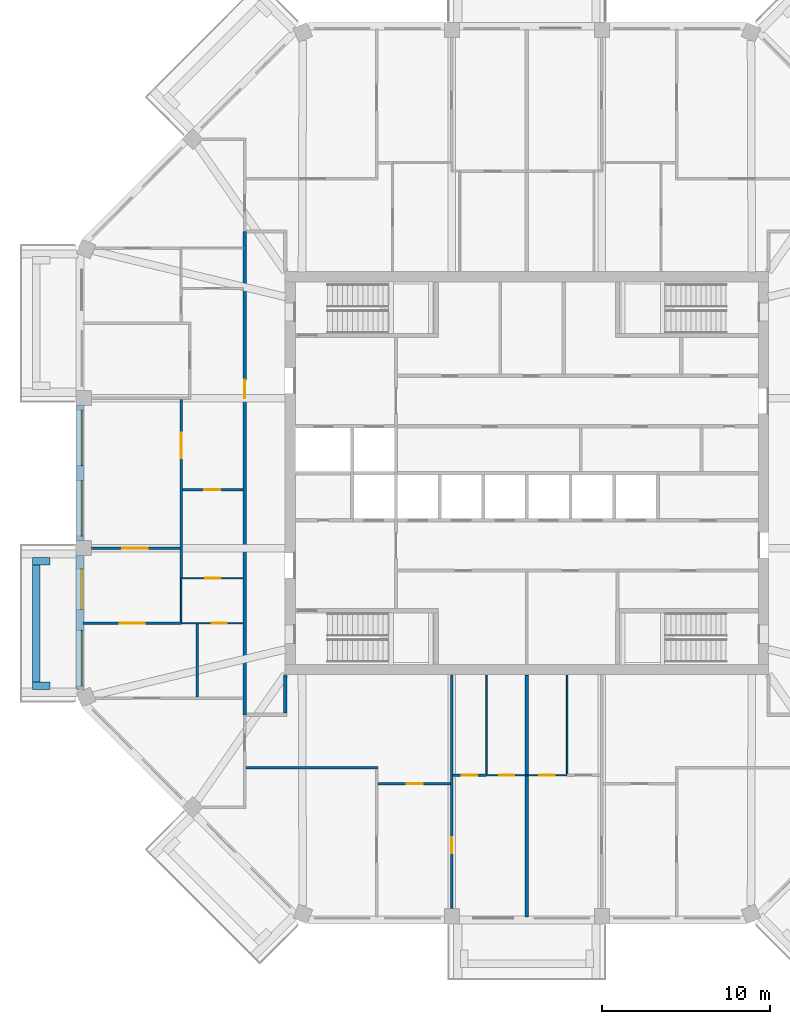
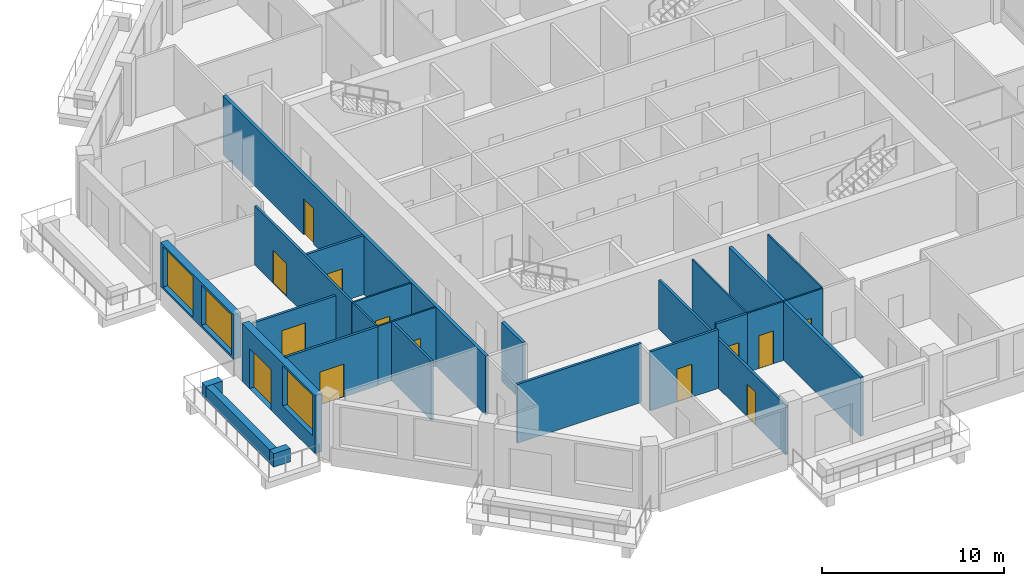
# One storey, part 3 of 12: 24 walls, 13 doors, 3 windows, 16 openings.
"""IFC4 building model written with IfcOpenShell, lengths in metres."""

from ifc_helpers import new_model, si_unit, direction, frame, frame_2d, origin, place, context, subcontext, project, spatial, rectangle, extrude, material, layer, layer_set, type_object, element, fill, save


model = new_model("IFC4")

# Units and contexts
model_context = context("Model", 3, precision=1e-05, world=origin(), true_north=direction((0.0, 1.0)))
body_context = subcontext(model_context, "Body", "Model", "MODEL_VIEW")
ifc_project = project(units=[si_unit("LENGTHUNIT", "METRE"), si_unit("AREAUNIT", "SQUARE_METRE"), si_unit("VOLUMEUNIT", "CUBIC_METRE"), si_unit("PLANEANGLEUNIT", "RADIAN"), si_unit("MASSUNIT", "GRAM", prefix="KILO")], contexts=[model_context])

# Site, building, storey
site_placement = place(None, origin())
site = spatial("IfcSite", under=ifc_project, at=site_placement, CompositionType="ELEMENT")
building_placement = place(site_placement, origin())
building = spatial("IfcBuilding", under=site, at=building_placement, Name="Msitu Wima Residences", CompositionType="ELEMENT")
storey_placement = place(building_placement, frame((0.0, 0.0, 243.300048828125)))
storey = spatial("IfcBuildingStorey", under=building, at=storey_placement, Name="L56", CompositionType="ELEMENT", Elevation=243.300048828125)

# Walls
ifc_material_1 = material(Name="Facing brick")
ifc_layer_1 = layer(ifc_material_1, 0.06494140625, Name="Facing brick")
ifc_material_2 = material(Name="Concrete C40/50", Category="concrete")
ifc_layer_2 = layer(ifc_material_2, 0.156005859375, Name="Concrete C40/50")
ifc_material_3 = material(Name="Waterproofing membrane")
ifc_layer_3 = layer(ifc_material_3, 0.00390625, Name="Waterproofing membrane")
ifc_material_4 = material(Name="Planting soil and planting")
ifc_layer_4 = layer(ifc_material_4, 0.22509765625, Name="Planting soil and planting")
ifc_layer_set_1 = layer_set([ifc_layer_1, ifc_layer_2, ifc_layer_3, ifc_layer_4], Name="Concrete C40/50")
wall_type_1 = type_object("IfcWallType", Name="Balcony planter PLANTER PL450", PredefinedType="USERDEFINED", material=ifc_layer_set_1)
wall_1_placement = place(storey_placement, frame((-29.22509765625, -5.468505859375, 0.0), z_axis=(0.0, 0.0, 1.0), x_axis=(0.0, -1.0, 0.0)))
element("IfcWall", 1, at=wall_1_placement, inside=storey, type_object=wall_type_1, Name="Balcony planter W2 L56", ObjectType="PLANTER", PredefinedType="USERDEFINED", context=body_context, shape_type="SweptSolid", body=[
    extrude(rectangle(XDim=6.9873046875, YDim=0.449951171875, at=frame_2d((3.49365234375, 0.0))), origin(), (0.0, 0.0, 1.0), 0.89990234375),
])
for number, where, z_axis, x_axis, name in (
    (2, (-28.39990234375, -5.24365234375, 0.0), (0.0, 0.0, 1.0), (-1.0, 0.0, 0.0), "Balcony planter W2 L56"),
    (3, (-28.39990234375, -12.680908203125, 0.0), (0.0, 0.0, 1.0), (-1.0, 0.0, 0.0), "Balcony planter W2 L56"),
):
    element("IfcWall", number, at=place(storey_placement, frame(where, z_axis=z_axis, x_axis=x_axis)), inside=storey, type_object=wall_type_1, Name=name, ObjectType="PLANTER", PredefinedType="USERDEFINED", context=body_context, shape_type="SweptSolid", body=[
        extrude(rectangle(XDim=1.050048828125, YDim=0.449951171875, at=frame_2d((0.52490234375, 0.0))), origin(), (0.0, 0.0, 1.0), 0.89990234375),
    ])

# Wall, openings, windows
ifc_material_5 = material(Name="Brick (red buff mix)", Category="masonry")
ifc_layer_5 = layer(ifc_material_5, 0.449951171875)
ifc_layer_set_2 = layer_set([ifc_layer_5], Name="Brick (red buff mix)")
wall_type_2 = type_object("IfcWallType", Name="Brick infill wall BW450", PredefinedType="SOLIDWALL", material=ifc_layer_set_2)
wall_2_placement = place(storey_placement, frame((-26.625, 4.0185546875, 0.89990234375), z_axis=(0.0, 0.0, 1.0), x_axis=(0.0, -1.0, 0.0)))
wall_2 = element("IfcWall", 4, at=wall_2_placement, inside=storey, type_object=wall_type_2, Name="Brick infill wall L56 W1", PredefinedType="SOLIDWALL", context=body_context, shape_type="SweptSolid", body=[
    extrude(rectangle(XDim=8.037109375, YDim=0.449951171875, at=frame_2d((4.0185546875, 0.0))), origin(), (0.0, 0.0, 1.0), 3.0),
])
opening_1_placement = place(wall_2_placement, frame((0.2685546875, 0.0, 0.14990234375)))
opening_1 = element("IfcOpeningElement", 5, at=opening_1_placement, cuts=wall_2, Name="Opening W55-56.028", PredefinedType="OPENING", context=body_context, shape_type="SweptSolid", body=[
    extrude(rectangle(XDim=3.300048828125, YDim=2.699951171875, at=frame_2d((1.64990234375, 1.35009765625))), frame((0.0, 0.23486328125, 0.0), z_axis=(0.0, -1.0, 0.0), x_axis=(1.0, 0.0, 0.0)), (0.0, 0.0, 1.0), 0.469970703125),
])
opening_2_placement = place(wall_2_placement, frame((4.46875, 0.0, 0.14990234375)))
opening_2 = element("IfcOpeningElement", 6, at=opening_2_placement, cuts=wall_2, Name="Opening W55-56.029", PredefinedType="OPENING", context=body_context, shape_type="SweptSolid", body=[
    extrude(rectangle(XDim=3.300048828125, YDim=2.699951171875, at=frame_2d((1.64990234375, 1.35009765625))), frame((0.0, 0.23486328125, 0.0), z_axis=(0.0, -1.0, 0.0), x_axis=(1.0, 0.0, 0.0)), (0.0, 0.0, 1.0), 0.469970703125),
])
ifc_material_6 = material(Name="Anodised aluminium, bronze finish, clear low-emissivity double glazing", Category="aluminium")
window_type = type_object("IfcWindowType", Name="Window W3300x2700", PartitioningType="DOUBLE_PANEL_VERTICAL", PredefinedType="WINDOW", material=ifc_material_6)
window_1_placement = place(opening_1_placement, origin())
window_1 = element("IfcWindow", 7, at=window_1_placement, inside=storey, type_object=window_type, Name="Window L56 W1.1", OverallHeight=2.699951171875, OverallWidth=3.300048828125, PartitioningType="SINGLE_PANEL", PredefinedType="WINDOW", context=body_context, shape_type="SweptSolid", body=[
    extrude(rectangle(XDim=3.300048828125, YDim=2.699951171875, at=frame_2d((1.64990234375, 1.35009765625))), frame((0.0, 0.135009765625, 0.0), z_axis=(0.0, -1.0, 0.0), x_axis=(1.0, 0.0, 0.0)), (0.0, 0.0, 1.0), 0.06005859375),
])
fill(opening_1, window_1)
window_2_placement = place(opening_2_placement, origin())
window_2 = element("IfcWindow", 8, at=window_2_placement, inside=storey, type_object=window_type, Name="Window L56 W1.2", OverallHeight=2.699951171875, OverallWidth=3.300048828125, PartitioningType="SINGLE_PANEL", PredefinedType="WINDOW", context=body_context, shape_type="SweptSolid", body=[
    extrude(rectangle(XDim=3.300048828125, YDim=2.699951171875, at=frame_2d((1.64990234375, 1.35009765625))), frame((0.0, 0.135009765625, 0.0), z_axis=(0.0, -1.0, 0.0), x_axis=(1.0, 0.0, 0.0)), (0.0, 0.0, 1.0), 0.06005859375),
])
fill(opening_2, window_2)

# Wall, openings, door, window
wall_3_placement = place(storey_placement, frame((-26.625, -4.918701171875, 0.0), z_axis=(0.0, 0.0, 1.0), x_axis=(0.0, -1.0, 0.0)))
wall_3 = element("IfcWall", 9, at=wall_3_placement, inside=storey, type_object=wall_type_2, Name="Brick infill wall L56 W2", PredefinedType="SOLIDWALL", context=body_context, shape_type="SweptSolid", body=[
    extrude(rectangle(XDim=8.0, YDim=0.449951171875, at=frame_2d((4.0, 0.0))), origin(), (0.0, 0.0, 1.0), 3.89990234375),
])
opening_3_placement = place(wall_3_placement, frame((0.800048828125, 0.0, 0.0)))
opening_3 = element("IfcOpeningElement", 10, at=opening_3_placement, cuts=wall_3, Name="Opening D55-56.010", PredefinedType="OPENING", context=body_context, shape_type="SweptSolid", body=[
    extrude(rectangle(XDim=2.39990234375, YDim=2.699951171875, at=frame_2d((1.199951171875, 1.35009765625))), frame((0.0, 0.23486328125, 0.0), z_axis=(0.0, -1.0, 0.0), x_axis=(1.0, 0.0, 0.0)), (0.0, 0.0, 1.0), 0.469970703125),
])
opening_4_placement = place(wall_3_placement, frame((4.4501953125, 0.0, 1.050048828125)))
opening_4 = element("IfcOpeningElement", 11, at=opening_4_placement, cuts=wall_3, Name="Opening W55-56.030", PredefinedType="OPENING", context=body_context, shape_type="SweptSolid", body=[
    extrude(rectangle(XDim=3.300048828125, YDim=2.699951171875, at=frame_2d((1.64990234375, 1.35009765625))), frame((0.0, 0.23486328125, 0.0), z_axis=(0.0, -1.0, 0.0), x_axis=(1.0, 0.0, 0.0)), (0.0, 0.0, 1.0), 0.469970703125),
])
door_type_1 = type_object("IfcDoorType", Name="Balcony door D2400x2700", OperationType="SLIDING_TO_LEFT", PredefinedType="DOOR", material=ifc_material_6)
door_1_placement = place(opening_3_placement, origin())
door_1 = element("IfcDoor", 12, at=door_1_placement, inside=storey, type_object=door_type_1, Name="Balcony door L56 W2", OperationType="SINGLE_SWING_LEFT", OverallHeight=2.699951171875, OverallWidth=2.39990234375, PredefinedType="DOOR", context=body_context, shape_type="SweptSolid", body=[
    extrude(rectangle(XDim=2.39990234375, YDim=2.699951171875, at=frame_2d((1.199951171875, 1.35009765625))), frame((0.0, 0.1298828125, 0.0), z_axis=(0.0, -1.0, 0.0), x_axis=(1.0, 0.0, 0.0)), (0.0, 0.0, 1.0), 0.050048828125),
])
fill(opening_3, door_1)
window_3_placement = place(opening_4_placement, origin())
window_3 = element("IfcWindow", 13, at=window_3_placement, inside=storey, type_object=window_type, Name="Window L56 W2.2", OverallHeight=2.699951171875, OverallWidth=3.300048828125, PartitioningType="SINGLE_PANEL", PredefinedType="WINDOW", context=body_context, shape_type="SweptSolid", body=[
    extrude(rectangle(XDim=3.300048828125, YDim=2.699951171875, at=frame_2d((1.64990234375, 1.35009765625))), frame((0.0, 0.135009765625, 0.0), z_axis=(0.0, -1.0, 0.0), x_axis=(1.0, 0.0, 0.0)), (0.0, 0.0, 1.0), 0.06005859375),
])
fill(opening_4, window_3)

# Wall, opening, door
ifc_material_7 = material(Name="Plaster")
ifc_layer_6 = layer(ifc_material_7, 0.011962890625, Name="Plaster")
ifc_material_8 = material(Name="Concrete blockwork", Category="masonry")
ifc_layer_7 = layer(ifc_material_8, 0.176025390625, Name="Concrete blockwork")
ifc_layer_8 = layer(ifc_material_7, 0.011962890625, Name="Plaster")
ifc_layer_set_3 = layer_set([ifc_layer_6, ifc_layer_7, ifc_layer_8], Name="Concrete blockwork")
wall_type_3 = type_object("IfcWallType", Name="Corridor wall FW200", PredefinedType="PARTITIONING", material=ifc_layer_set_3)
wall_4_placement = place(storey_placement, frame((-16.800048828125, -14.39990234375, 0.0), z_axis=(0.0, 0.0, 1.0), x_axis=(0.0, 1.0, 0.0)))
wall_4 = element("IfcWall", 14, at=wall_4_placement, inside=storey, type_object=wall_type_3, Name="Corridor wall", PredefinedType="PARTITIONING", context=body_context, shape_type="SweptSolid", body=[
    extrude(rectangle(XDim=28.7998046875, YDim=0.199951171875, at=frame_2d((14.39990234375, 0.0))), origin(), (0.0, 0.0, 1.0), 3.949951171875),
])
opening_5_placement = place(wall_4_placement, frame((18.85009765625, 0.0, 0.0)))
opening_5 = element("IfcOpeningElement", 15, at=opening_5_placement, cuts=wall_4, Name="Opening D55-56.035", PredefinedType="OPENING", context=body_context, shape_type="SweptSolid", body=[
    extrude(rectangle(XDim=1.10009765625, YDim=2.39990234375, at=frame_2d((0.550048828125, 1.199951171875))), frame((0.0, 0.10986328125, 0.0), z_axis=(0.0, -1.0, 0.0), x_axis=(1.0, 0.0, 0.0)), (0.0, 0.0, 1.0), 0.219970703125),
])
ifc_material_9 = material(Name="Timber flush door, fire resisting, self-closing", Category="wood")
door_type_2 = type_object("IfcDoorType", Name="Flat entrance door D01 1100x2400", OperationType="SINGLE_SWING_LEFT", PredefinedType="DOOR", material=ifc_material_9)
door_2_placement = place(opening_5_placement, origin())
door_2 = element("IfcDoor", 16, at=door_2_placement, inside=storey, type_object=door_type_2, Name="Flat entrance door", OperationType="SINGLE_SWING_RIGHT", OverallHeight=2.39990234375, OverallWidth=1.10009765625, PredefinedType="DOOR", context=body_context, shape_type="SweptSolid", body=[
    extrude(rectangle(XDim=1.10009765625, YDim=2.39990234375, at=frame_2d((0.550048828125, 1.199951171875))), frame((0.0, 0.02490234375, 0.0), z_axis=(0.0, -1.0, 0.0), x_axis=(1.0, 0.0, 0.0)), (0.0, 0.0, 1.0), 0.050048828125),
])
fill(opening_5, door_2)

# Wall
wall_5_placement = place(storey_placement, frame((-14.39990234375, -14.300048828125, 0.0), z_axis=(0.0, 0.0, 1.0), x_axis=(0.0, 1.0, 0.0)))
element("IfcWall", 17, at=wall_5_placement, inside=storey, type_object=wall_type_3, Name="Corridor wall", PredefinedType="PARTITIONING", context=body_context, shape_type="SweptSolid", body=[
    extrude(rectangle(XDim=2.27001953125, YDim=0.199951171875, at=frame_2d((1.135009765625, 0.0))), origin(), (0.0, 0.0, 1.0), 3.949951171875),
])

# Wall, opening, door
ifc_layer_9 = layer(ifc_material_7, 0.011962890625, Name="Plaster")
ifc_layer_10 = layer(ifc_material_8, 0.1259765625, Name="Concrete blockwork")
ifc_layer_11 = layer(ifc_material_7, 0.011962890625, Name="Plaster")
ifc_layer_set_4 = layer_set([ifc_layer_9, ifc_layer_10, ifc_layer_11], Name="Concrete blockwork")
wall_type_4 = type_object("IfcWallType", Name="Partition PW150", PredefinedType="PARTITIONING", material=ifc_layer_set_4)
wall_6_placement = place(storey_placement, frame((-26.455078125, -8.937255859375, 0.0), z_axis=(0.0, 0.0, 1.0), x_axis=(1.0, 0.0, 0.0)))
wall_6 = element("IfcWall", 18, at=wall_6_placement, inside=storey, type_object=wall_type_4, Name="Partition", PredefinedType="PARTITIONING", context=body_context, shape_type="SweptSolid", body=[
    extrude(rectangle(XDim=5.875, YDim=0.14990234375, at=frame_2d((2.9375, 0.0))), origin(), (0.0, 0.0, 1.0), 3.949951171875),
])
opening_6_placement = place(wall_6_placement, frame((2.199951171875, 0.0, 0.0)))
opening_6 = element("IfcOpeningElement", 19, at=opening_6_placement, cuts=wall_6, Name="Opening D55-56.041", PredefinedType="OPENING", context=body_context, shape_type="SweptSolid", body=[
    extrude(rectangle(XDim=1.5, YDim=2.199951171875, at=frame_2d((0.75, 1.10009765625))), frame((0.0, 0.0849609375, 0.0), z_axis=(0.0, -1.0, 0.0), x_axis=(1.0, 0.0, 0.0)), (0.0, 0.0, 1.0), 0.169921875),
])
ifc_material_10 = material(Name="Timber double door", Category="wood")
door_type_3 = type_object("IfcDoorType", Name="Double door D04 1500x2200", OperationType="DOUBLE_DOOR_SINGLE_SWING", PredefinedType="DOOR", material=ifc_material_10)
door_3_placement = place(opening_6_placement, origin())
door_3 = element("IfcDoor", 20, at=door_3_placement, inside=storey, type_object=door_type_3, Name="Double door", OperationType="DOUBLE_DOOR_SINGLE_SWING", OverallHeight=2.199951171875, OverallWidth=1.5, PredefinedType="DOOR", context=body_context, shape_type="SweptSolid", body=[
    extrude(rectangle(XDim=1.5, YDim=2.199951171875, at=frame_2d((0.75, 1.10009765625))), frame((0.0, 0.02490234375, 0.0), z_axis=(0.0, -1.0, 0.0), x_axis=(1.0, 0.0, 0.0)), (0.0, 0.0, 1.0), 0.050048828125),
])
fill(opening_6, door_3)

wall_7_placement = place(storey_placement, frame((-25.949951171875, -4.46875, 0.0), z_axis=(0.0, 0.0, 1.0), x_axis=(1.0, 0.0, 0.0)))
wall_7 = element("IfcWall", 21, at=wall_7_placement, inside=storey, type_object=wall_type_4, Name="Partition", PredefinedType="PARTITIONING", context=body_context, shape_type="SweptSolid", body=[
    extrude(rectangle(XDim=5.27490234375, YDim=0.14990234375, at=frame_2d((2.637451171875, 0.0))), origin(), (0.0, 0.0, 1.0), 3.349853515625),
])
opening_7_placement = place(wall_7_placement, frame((1.85009765625, 0.0, 0.0)))
opening_7 = element("IfcOpeningElement", 22, at=opening_7_placement, cuts=wall_7, Name="Opening D55-56.037", PredefinedType="OPENING", context=body_context, shape_type="SweptSolid", body=[
    extrude(rectangle(XDim=1.5, YDim=2.199951171875, at=frame_2d((0.75, 1.10009765625))), frame((0.0, 0.0849609375, 0.0), z_axis=(0.0, -1.0, 0.0), x_axis=(1.0, 0.0, 0.0)), (0.0, 0.0, 1.0), 0.169921875),
])
door_4_placement = place(opening_7_placement, origin())
door_4 = element("IfcDoor", 23, at=door_4_placement, inside=storey, type_object=door_type_3, Name="Double door", OperationType="DOUBLE_DOOR_SINGLE_SWING", OverallHeight=2.199951171875, OverallWidth=1.5, PredefinedType="DOOR", context=body_context, shape_type="SweptSolid", body=[
    extrude(rectangle(XDim=1.5, YDim=2.199951171875, at=frame_2d((0.75, 1.10009765625))), frame((0.0, 0.02490234375, 0.0), z_axis=(0.0, -1.0, 0.0), x_axis=(1.0, 0.0, 0.0)), (0.0, 0.0, 1.0), 0.050048828125),
])
fill(opening_7, door_4)

wall_8_placement = place(storey_placement, frame((-20.60009765625, -6.256103515625, 0.0), z_axis=(0.0, 0.0, 1.0), x_axis=(0.0, 1.0, 0.0)))
wall_8 = element("IfcWall", 24, at=wall_8_placement, inside=storey, type_object=wall_type_4, Name="Partition", PredefinedType="PARTITIONING", context=body_context, shape_type="SweptSolid", body=[
    extrude(rectangle(XDim=10.649658203125, YDim=0.14990234375, at=frame_2d((5.32470703125, 0.0))), origin(), (0.0, 0.0, 1.0), 3.949951171875),
])
opening_8_placement = place(wall_8_placement, frame((7.14990234375, 0.0, 0.0)))
opening_8 = element("IfcOpeningElement", 25, at=opening_8_placement, cuts=wall_8, Name="Opening D55-56.052", PredefinedType="OPENING", context=body_context, shape_type="SweptSolid", body=[
    extrude(rectangle(XDim=1.5, YDim=2.199951171875, at=frame_2d((0.75, 1.10009765625))), frame((0.0, 0.0849609375, 0.0), z_axis=(0.0, -1.0, 0.0), x_axis=(1.0, 0.0, 0.0)), (0.0, 0.0, 1.0), 0.169921875),
])
door_5_placement = place(opening_8_placement, origin())
door_5 = element("IfcDoor", 26, at=door_5_placement, inside=storey, type_object=door_type_3, Name="Double door", OperationType="DOUBLE_DOOR_SINGLE_SWING", OverallHeight=2.199951171875, OverallWidth=1.5, PredefinedType="DOOR", context=body_context, shape_type="SweptSolid", body=[
    extrude(rectangle(XDim=1.5, YDim=2.199951171875, at=frame_2d((0.75, 1.10009765625))), frame((0.0, 0.02490234375, 0.0), z_axis=(0.0, -1.0, 0.0), x_axis=(1.0, 0.0, 0.0)), (0.0, 0.0, 1.0), 0.050048828125),
])
fill(opening_8, door_5)

wall_9_placement = place(storey_placement, frame((-20.52490234375, -1.0, 0.0), z_axis=(0.0, 0.0, 1.0), x_axis=(1.0, 0.0, 0.0)))
wall_9 = element("IfcWall", 27, at=wall_9_placement, inside=storey, type_object=wall_type_4, Name="Partition", PredefinedType="PARTITIONING", context=body_context, shape_type="SweptSolid", body=[
    extrude(rectangle(XDim=3.625, YDim=0.14990234375, at=frame_2d((1.8125, 0.0))), origin(), (0.0, 0.0, 1.0), 3.949951171875),
])
opening_9_placement = place(wall_9_placement, frame((1.300048828125, 0.0, 0.0)))
opening_9 = element("IfcOpeningElement", 28, at=opening_9_placement, cuts=wall_9, Name="Opening D55-56.036", PredefinedType="OPENING", context=body_context, shape_type="SweptSolid", body=[
    extrude(rectangle(XDim=0.949951171875, YDim=2.199951171875, at=frame_2d((0.47509765625, 1.10009765625))), frame((0.0, 0.0849609375, 0.0), z_axis=(0.0, -1.0, 0.0), x_axis=(1.0, 0.0, 0.0)), (0.0, 0.0, 1.0), 0.169921875),
])
ifc_material_11 = material(Name="Timber flush door", Category="wood")
door_type_4 = type_object("IfcDoorType", Name="Room door D12 950x2200", OperationType="SINGLE_SWING_LEFT", PredefinedType="DOOR", material=ifc_material_11)
door_6_placement = place(opening_9_placement, origin())
door_6 = element("IfcDoor", 29, at=door_6_placement, inside=storey, type_object=door_type_4, Name="Room door", OperationType="SINGLE_SWING_RIGHT", OverallHeight=2.199951171875, OverallWidth=0.949951171875, PredefinedType="DOOR", context=body_context, shape_type="SweptSolid", body=[
    extrude(rectangle(XDim=0.949951171875, YDim=2.199951171875, at=frame_2d((0.47509765625, 1.10009765625))), frame((0.0, 0.02490234375, 0.0), z_axis=(0.0, -1.0, 0.0), x_axis=(1.0, 0.0, 0.0)), (0.0, 0.0, 1.0), 0.050048828125),
])
fill(opening_9, door_6)

# Walls
wall_10_placement = place(storey_placement, frame((-19.64990234375, -13.330810546875, 0.0), z_axis=(0.0, 0.0, 1.0), x_axis=(0.0, 1.0, 0.0)))
element("IfcWall", 30, at=wall_10_placement, inside=storey, type_object=wall_type_4, Name="Partition", PredefinedType="PARTITIONING", context=body_context, shape_type="SweptSolid", body=[
    extrude(rectangle(XDim=4.343505859375, YDim=0.14990234375, at=frame_2d((2.171875, 0.0))), origin(), (0.0, 0.0, 1.0), 3.949951171875),
])
wall_11_placement = place(storey_placement, frame((-16.72509765625, -17.550048828125, 0.0), z_axis=(0.0, 0.0, 1.0), x_axis=(1.0, 0.0, 0.0)))
element("IfcWall", 31, at=wall_11_placement, inside=storey, type_object=wall_type_4, Name="Partition", PredefinedType="PARTITIONING", context=body_context, shape_type="SweptSolid", body=[
    extrude(rectangle(XDim=7.86279296875, YDim=0.14990234375, at=frame_2d((3.931396484375, 0.0))), origin(), (0.0, 0.0, 1.0), 3.949951171875),
])

# Wall, opening, door
wall_12_placement = place(storey_placement, frame((-8.8623046875, -18.5, 0.0), z_axis=(0.0, 0.0, 1.0), x_axis=(1.0, 0.0, 0.0)))
wall_12 = element("IfcWall", 32, at=wall_12_placement, inside=storey, type_object=wall_type_4, Name="Partition", PredefinedType="PARTITIONING", context=body_context, shape_type="SweptSolid", body=[
    extrude(rectangle(XDim=4.318603515625, YDim=0.14990234375, at=frame_2d((2.1591796875, 0.0))), origin(), (0.0, 0.0, 1.0), 3.949951171875),
])
opening_10_placement = place(wall_12_placement, frame((1.699951171875, 0.0, 0.0)))
opening_10 = element("IfcOpeningElement", 33, at=opening_10_placement, cuts=wall_12, Name="Opening D55-56.045", PredefinedType="OPENING", context=body_context, shape_type="SweptSolid", body=[
    extrude(rectangle(XDim=0.949951171875, YDim=2.199951171875, at=frame_2d((0.47509765625, 1.10009765625))), frame((0.0, 0.0849609375, 0.0), z_axis=(0.0, -1.0, 0.0), x_axis=(1.0, 0.0, 0.0)), (0.0, 0.0, 1.0), 0.169921875),
])
door_7_placement = place(opening_10_placement, origin())
door_7 = element("IfcDoor", 34, at=door_7_placement, inside=storey, type_object=door_type_4, Name="Room door", OperationType="SINGLE_SWING_RIGHT", OverallHeight=2.199951171875, OverallWidth=0.949951171875, PredefinedType="DOOR", context=body_context, shape_type="SweptSolid", body=[
    extrude(rectangle(XDim=0.949951171875, YDim=2.199951171875, at=frame_2d((0.47509765625, 1.10009765625))), frame((0.0, 0.02490234375, 0.0), z_axis=(0.0, -1.0, 0.0), x_axis=(1.0, 0.0, 0.0)), (0.0, 0.0, 1.0), 0.050048828125),
])
fill(opening_10, door_7)

wall_13_placement = place(storey_placement, frame((-4.46875, -25.949951171875, 0.0), z_axis=(0.0, 0.0, 1.0), x_axis=(0.0, 1.0, 0.0)))
wall_13 = element("IfcWall", 35, at=wall_13_placement, inside=storey, type_object=wall_type_4, Name="Partition", PredefinedType="PARTITIONING", context=body_context, shape_type="SweptSolid", body=[
    extrude(rectangle(XDim=13.919921875, YDim=0.14990234375, at=frame_2d((6.9599609375, 0.0))), origin(), (0.0, 0.0, 1.0), 3.300048828125),
])
opening_11_placement = place(wall_13_placement, frame((3.300048828125, 0.0, 0.0)))
opening_11 = element("IfcOpeningElement", 36, at=opening_11_placement, cuts=wall_13, Name="Opening D55-56.049", PredefinedType="OPENING", context=body_context, shape_type="SweptSolid", body=[
    extrude(rectangle(XDim=0.949951171875, YDim=2.199951171875, at=frame_2d((0.47509765625, 1.10009765625))), frame((0.0, 0.0849609375, 0.0), z_axis=(0.0, -1.0, 0.0), x_axis=(1.0, 0.0, 0.0)), (0.0, 0.0, 1.0), 0.169921875),
])
door_8_placement = place(opening_11_placement, origin())
door_8 = element("IfcDoor", 37, at=door_8_placement, inside=storey, type_object=door_type_4, Name="Room door", OperationType="SINGLE_SWING_RIGHT", OverallHeight=2.199951171875, OverallWidth=0.949951171875, PredefinedType="DOOR", context=body_context, shape_type="SweptSolid", body=[
    extrude(rectangle(XDim=0.949951171875, YDim=2.199951171875, at=frame_2d((0.47509765625, 1.10009765625))), frame((0.0, 0.02490234375, 0.0), z_axis=(0.0, -1.0, 0.0), x_axis=(1.0, 0.0, 0.0)), (0.0, 0.0, 1.0), 0.050048828125),
])
fill(opening_11, door_8)

wall_14_placement = place(storey_placement, frame((-4.3935546875, -18.0, 0.0), z_axis=(0.0, 0.0, 1.0), x_axis=(1.0, 0.0, 0.0)))
wall_14 = element("IfcWall", 38, at=wall_14_placement, inside=storey, type_object=wall_type_4, Name="Partition", PredefinedType="PARTITIONING", context=body_context, shape_type="SweptSolid", body=[
    extrude(rectangle(XDim=1.99365234375, YDim=0.14990234375, at=frame_2d((0.996826171875, 0.0))), origin(), (0.0, 0.0, 1.0), 3.949951171875),
])
opening_12_placement = place(wall_14_placement, frame((0.5, 0.0, 0.0)))
opening_12 = element("IfcOpeningElement", 39, at=opening_12_placement, cuts=wall_14, Name="Opening D55-56.051", PredefinedType="OPENING", context=body_context, shape_type="SweptSolid", body=[
    extrude(rectangle(XDim=0.949951171875, YDim=2.199951171875, at=frame_2d((0.47509765625, 1.10009765625))), frame((0.0, 0.0849609375, 0.0), z_axis=(0.0, -1.0, 0.0), x_axis=(1.0, 0.0, 0.0)), (0.0, 0.0, 1.0), 0.169921875),
])
door_9_placement = place(opening_12_placement, origin())
door_9 = element("IfcDoor", 40, at=door_9_placement, inside=storey, type_object=door_type_4, Name="Room door", OperationType="SINGLE_SWING_RIGHT", OverallHeight=2.199951171875, OverallWidth=0.949951171875, PredefinedType="DOOR", context=body_context, shape_type="SweptSolid", body=[
    extrude(rectangle(XDim=0.949951171875, YDim=2.199951171875, at=frame_2d((0.47509765625, 1.10009765625))), frame((0.0, 0.02490234375, 0.0), z_axis=(0.0, -1.0, 0.0), x_axis=(1.0, 0.0, 0.0)), (0.0, 0.0, 1.0), 0.050048828125),
])
fill(opening_12, door_9)

# Walls
ifc_layer_12 = layer(ifc_material_7, 0.011962890625, Name="Plaster")
ifc_material_12 = material(Name="Dense concrete blockwork", Category="masonry")
ifc_layer_13 = layer(ifc_material_12, 0.176025390625, Name="Dense concrete blockwork")
ifc_layer_14 = layer(ifc_material_7, 0.011962890625, Name="Plaster")
ifc_layer_set_5 = layer_set([ifc_layer_12, ifc_layer_13, ifc_layer_14], Name="Dense concrete blockwork")
wall_type_5 = type_object("IfcWallType", Name="Party wall PW200", PredefinedType="PARTITIONING", material=ifc_layer_set_5)
wall_15_placement = place(storey_placement, frame((0.0, -26.455078125, 0.0), z_axis=(0.0, 0.0, 1.0), x_axis=(0.0, 1.0, 0.0)))
element("IfcWall", 41, at=wall_15_placement, inside=storey, type_object=wall_type_5, Name="Party wall", PredefinedType="PARTITIONING", context=body_context, shape_type="SweptSolid", body=[
    extrude(rectangle(XDim=14.425048828125, YDim=0.199951171875, at=frame_2d((7.21240234375, 0.0))), origin(), (0.0, 0.0, 1.0), 3.949951171875),
])
ifc_material_13 = material(Name="Ceramic tiles")
ifc_layer_15 = layer(ifc_material_13, 0.008056640625, Name="Ceramic tiles")
ifc_material_14 = material(Name="Moisture-resistant board")
ifc_layer_16 = layer(ifc_material_14, 0.012451171875, Name="Moisture-resistant board")
ifc_material_15 = material(Name="Light-gauge stud framing with mineral wool")
ifc_layer_17 = layer(ifc_material_15, 0.06689453125, Name="Light-gauge stud framing with mineral wool")
ifc_layer_18 = layer(ifc_material_14, 0.012451171875, Name="Moisture-resistant board")
ifc_layer_set_6 = layer_set([ifc_layer_15, ifc_layer_16, ifc_layer_17, ifc_layer_18], Name="Light-gauge stud framing with mineral wool")
wall_type_6 = type_object("IfcWallType", Name="Wet wall PW100", PredefinedType="PARTITIONING", material=ifc_layer_set_6)
wall_16_placement = place(storey_placement, frame((-20.60009765625, -8.8623046875, 0.0), z_axis=(0.0, 0.0, 1.0), x_axis=(0.0, 1.0, 0.0)))
element("IfcWall", 42, at=wall_16_placement, inside=storey, type_object=wall_type_6, Name="Wet wall", PredefinedType="PARTITIONING", context=body_context, shape_type="SweptSolid", body=[
    extrude(rectangle(XDim=2.606201171875, YDim=0.10009765625, at=frame_2d((1.30322265625, 0.0))), origin(), (0.0, 0.0, 1.0), 3.949951171875),
])

# Wall, opening, door
wall_17_placement = place(storey_placement, frame((-20.580078125, -8.937255859375, 0.0), z_axis=(0.0, 0.0, 1.0), x_axis=(1.0, 0.0, 0.0)))
wall_17 = element("IfcWall", 43, at=wall_17_placement, inside=storey, type_object=wall_type_6, Name="Wet wall", PredefinedType="PARTITIONING", context=body_context, shape_type="SweptSolid", body=[
    extrude(rectangle(XDim=3.68017578125, YDim=0.10009765625, at=frame_2d((1.840087890625, 0.0))), origin(), (0.0, 0.0, 1.0), 3.949951171875),
])
opening_13_placement = place(wall_17_placement, frame((1.800048828125, 0.0, 0.0)))
opening_13 = element("IfcOpeningElement", 44, at=opening_13_placement, cuts=wall_17, Name="Opening D55-56.040", PredefinedType="OPENING", context=body_context, shape_type="SweptSolid", body=[
    extrude(rectangle(XDim=0.89990234375, YDim=2.199951171875, at=frame_2d((0.449951171875, 1.10009765625))), frame((0.0, 0.06005859375, 0.0), z_axis=(0.0, -1.0, 0.0), x_axis=(1.0, 0.0, 0.0)), (0.0, 0.0, 1.0), 0.1201171875),
])
door_type_5 = type_object("IfcDoorType", Name="Service door D05 900x2200", OperationType="SINGLE_SWING_LEFT", PredefinedType="DOOR", material=ifc_material_11)
door_10_placement = place(opening_13_placement, origin())
door_10 = element("IfcDoor", 45, at=door_10_placement, inside=storey, type_object=door_type_5, Name="Service door", OperationType="SINGLE_SWING_RIGHT", OverallHeight=2.199951171875, OverallWidth=0.89990234375, PredefinedType="DOOR", context=body_context, shape_type="SweptSolid", body=[
    extrude(rectangle(XDim=0.89990234375, YDim=2.199951171875, at=frame_2d((0.449951171875, 1.10009765625))), frame((0.0, 0.02490234375, 0.0), z_axis=(0.0, -1.0, 0.0), x_axis=(1.0, 0.0, 0.0)), (0.0, 0.0, 1.0), 0.050048828125),
])
fill(opening_13, door_10)

wall_18_placement = place(storey_placement, frame((-20.52490234375, -6.256103515625, 0.0), z_axis=(0.0, 0.0, 1.0), x_axis=(1.0, 0.0, 0.0)))
wall_18 = element("IfcWall", 46, at=wall_18_placement, inside=storey, type_object=wall_type_6, Name="Wet wall", PredefinedType="PARTITIONING", context=body_context, shape_type="SweptSolid", body=[
    extrude(rectangle(XDim=3.625, YDim=0.10009765625, at=frame_2d((1.8125, 0.0))), origin(), (0.0, 0.0, 1.0), 3.949951171875),
])
opening_14_placement = place(wall_18_placement, frame((1.35009765625, 0.0, 0.0)))
opening_14 = element("IfcOpeningElement", 47, at=opening_14_placement, cuts=wall_18, Name="Opening D55-56.058", PredefinedType="OPENING", context=body_context, shape_type="SweptSolid", body=[
    extrude(rectangle(XDim=0.89990234375, YDim=2.199951171875, at=frame_2d((0.449951171875, 1.10009765625))), frame((0.0, 0.06005859375, 0.0), z_axis=(0.0, -1.0, 0.0), x_axis=(1.0, 0.0, 0.0)), (0.0, 0.0, 1.0), 0.1201171875),
])
door_11_placement = place(opening_14_placement, origin())
door_11 = element("IfcDoor", 48, at=door_11_placement, inside=storey, type_object=door_type_5, Name="Service door", OperationType="SINGLE_SWING_LEFT", OverallHeight=2.199951171875, OverallWidth=0.89990234375, PredefinedType="DOOR", context=body_context, shape_type="SweptSolid", body=[
    extrude(rectangle(XDim=0.89990234375, YDim=2.199951171875, at=frame_2d((0.449951171875, 1.10009765625))), frame((0.0, 0.02490234375, 0.0), z_axis=(0.0, -1.0, 0.0), x_axis=(1.0, 0.0, 0.0)), (0.0, 0.0, 1.0), 0.050048828125),
])
fill(opening_14, door_11)

# Wall
wall_19_placement = place(storey_placement, frame((-2.39990234375, -17.925048828125, 0.0), z_axis=(0.0, 0.0, 1.0), x_axis=(0.0, 1.0, 0.0)))
element("IfcWall", 49, at=wall_19_placement, inside=storey, type_object=wall_type_6, Name="Wet wall", PredefinedType="PARTITIONING", context=body_context, shape_type="SweptSolid", body=[
    extrude(rectangle(XDim=5.89501953125, YDim=0.10009765625, at=frame_2d((2.947509765625, 0.0))), origin(), (0.0, 0.0, 1.0), 3.949951171875),
])

# Wall, opening, door
wall_20_placement = place(storey_placement, frame((-2.39990234375, -18.0, 0.0), z_axis=(0.0, 0.0, 1.0), x_axis=(1.0, 0.0, 0.0)))
wall_20 = element("IfcWall", 50, at=wall_20_placement, inside=storey, type_object=wall_type_6, Name="Wet wall", PredefinedType="PARTITIONING", context=body_context, shape_type="SweptSolid", body=[
    extrude(rectangle(XDim=2.39990234375, YDim=0.10009765625, at=frame_2d((1.199951171875, 0.0))), origin(), (0.0, 0.0, 1.0), 3.949951171875),
])
opening_15_placement = place(wall_20_placement, frame((0.75, 0.0, 0.0)))
opening_15 = element("IfcOpeningElement", 51, at=opening_15_placement, cuts=wall_20, Name="Opening D55-56.050", PredefinedType="OPENING", context=body_context, shape_type="SweptSolid", body=[
    extrude(rectangle(XDim=0.89990234375, YDim=2.199951171875, at=frame_2d((0.449951171875, 1.10009765625))), frame((0.0, 0.06005859375, 0.0), z_axis=(0.0, -1.0, 0.0), x_axis=(1.0, 0.0, 0.0)), (0.0, 0.0, 1.0), 0.1201171875),
])
ifc_material_16 = material(Name="Timber flush door, moisture resistant", Category="wood")
door_type_6 = type_object("IfcDoorType", Name="Bathroom door D03 900x2200", OperationType="SINGLE_SWING_LEFT", PredefinedType="DOOR", material=ifc_material_16)
door_12_placement = place(opening_15_placement, origin())
door_12 = element("IfcDoor", 52, at=door_12_placement, inside=storey, type_object=door_type_6, Name="Bathroom door", OperationType="SINGLE_SWING_RIGHT", OverallHeight=2.199951171875, OverallWidth=0.89990234375, PredefinedType="DOOR", context=body_context, shape_type="SweptSolid", body=[
    extrude(rectangle(XDim=0.89990234375, YDim=2.199951171875, at=frame_2d((0.449951171875, 1.10009765625))), frame((0.0, 0.02490234375, 0.0), z_axis=(0.0, -1.0, 0.0), x_axis=(1.0, 0.0, 0.0)), (0.0, 0.0, 1.0), 0.050048828125),
])
fill(opening_15, door_12)

wall_21_placement = place(storey_placement, frame((0.0, -18.0, 0.0), z_axis=(0.0, 0.0, 1.0), x_axis=(1.0, 0.0, 0.0)))
wall_21 = element("IfcWall", 53, at=wall_21_placement, inside=storey, type_object=wall_type_6, Name="Wet wall", PredefinedType="PARTITIONING", context=body_context, shape_type="SweptSolid", body=[
    extrude(rectangle(XDim=2.39990234375, YDim=0.10009765625, at=frame_2d((1.199951171875, 0.0))), origin(), (0.0, 0.0, 1.0), 3.949951171875),
])
opening_16_placement = place(wall_21_placement, frame((0.75, 0.0, 0.0)))
opening_16 = element("IfcOpeningElement", 54, at=opening_16_placement, cuts=wall_21, Name="Opening D55-56.026", PredefinedType="OPENING", context=body_context, shape_type="SweptSolid", body=[
    extrude(rectangle(XDim=0.89990234375, YDim=2.199951171875, at=frame_2d((0.449951171875, 1.10009765625))), frame((0.0, 0.06005859375, 0.0), z_axis=(0.0, -1.0, 0.0), x_axis=(1.0, 0.0, 0.0)), (0.0, 0.0, 1.0), 0.1201171875),
])
door_13_placement = place(opening_16_placement, origin())
door_13 = element("IfcDoor", 55, at=door_13_placement, inside=storey, type_object=door_type_6, Name="Bathroom door", OperationType="SINGLE_SWING_LEFT", OverallHeight=2.199951171875, OverallWidth=0.89990234375, PredefinedType="DOOR", context=body_context, shape_type="SweptSolid", body=[
    extrude(rectangle(XDim=0.89990234375, YDim=2.199951171875, at=frame_2d((0.449951171875, 1.10009765625))), frame((0.0, 0.02490234375, 0.0), z_axis=(0.0, -1.0, 0.0), x_axis=(1.0, 0.0, 0.0)), (0.0, 0.0, 1.0), 0.050048828125),
])
fill(opening_16, door_13)

# Wall
wall_22_placement = place(storey_placement, frame((2.39990234375, -17.925048828125, 0.0), z_axis=(0.0, 0.0, 1.0), x_axis=(0.0, 1.0, 0.0)))
element("IfcWall", 56, at=wall_22_placement, inside=storey, type_object=wall_type_6, Name="Wet wall", PredefinedType="PARTITIONING", context=body_context, shape_type="SweptSolid", body=[
    extrude(rectangle(XDim=5.89501953125, YDim=0.10009765625, at=frame_2d((2.947509765625, 0.0))), origin(), (0.0, 0.0, 1.0), 3.949951171875),
])

save(model, "model.ifc")
